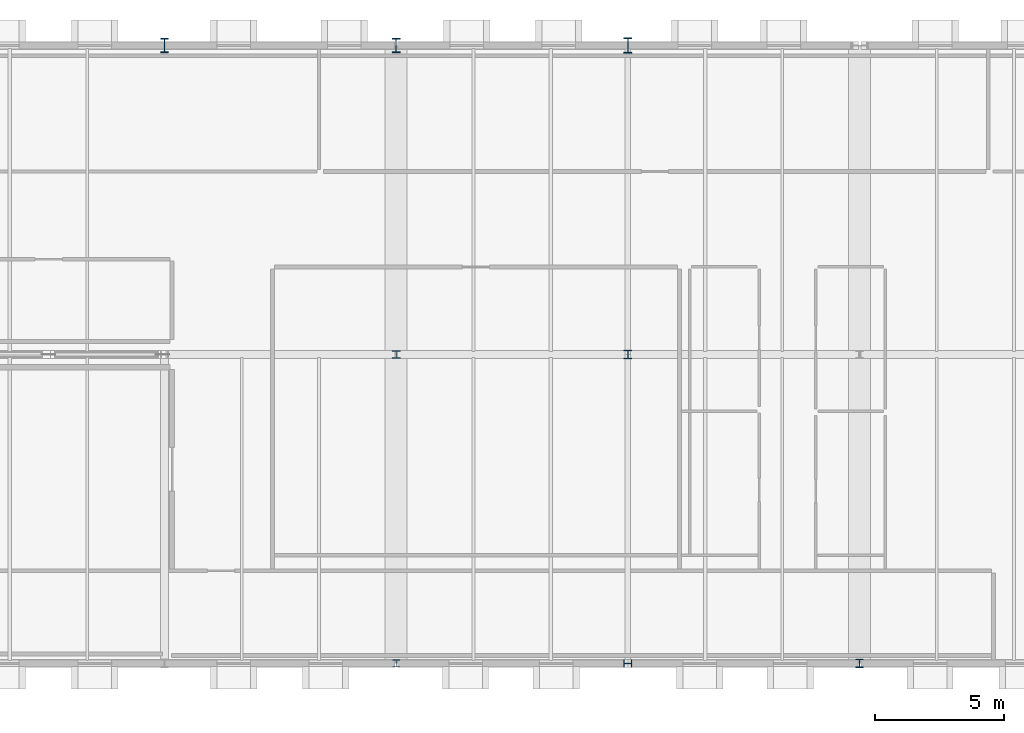
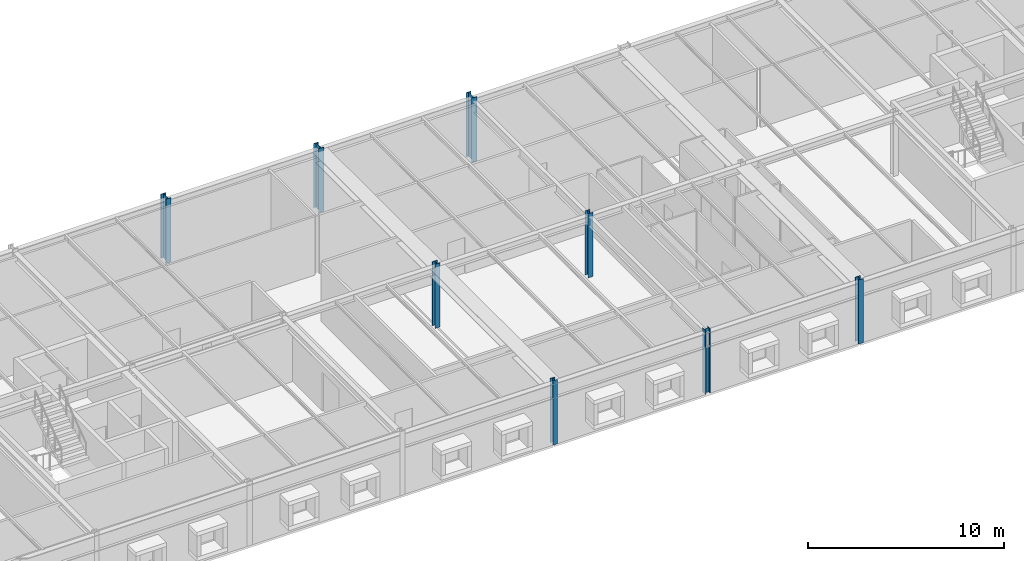
# One storey, part 2 of 17: 8 columns.
"""IFC4 building model written with IfcOpenShell, lengths in metres."""

from ifc_helpers import new_model, si_unit, direction, frame, origin, origin_2d, place, context, subcontext, project, spatial, i_section, extrude, material, material_profile, profile_set, type_object, element, save


model = new_model("IFC4")

# Units and contexts
model_context = context("Model", 3, precision=1e-05, world=origin(), true_north=direction((0.0, 1.0)))
body_context = subcontext(model_context, "Body", "Model", "MODEL_VIEW")
ifc_project = project(units=[si_unit("LENGTHUNIT", "METRE"), si_unit("AREAUNIT", "SQUARE_METRE"), si_unit("VOLUMEUNIT", "CUBIC_METRE"), si_unit("PLANEANGLEUNIT", "RADIAN"), si_unit("MASSUNIT", "GRAM", prefix="KILO")], contexts=[model_context])

# Site, building, storey
site_placement = place(None, origin())
site = spatial("IfcSite", under=ifc_project, at=site_placement, CompositionType="ELEMENT")
building_placement = place(site_placement, origin())
building = spatial("IfcBuilding", under=site, at=building_placement, Name="Montelvaro Courts of Justice", CompositionType="ELEMENT")
storey_placement = place(building_placement, frame((0.0, 0.0, 27.39990234375)))
storey = spatial("IfcBuildingStorey", under=building, at=storey_placement, Name="L06", CompositionType="ELEMENT", Elevation=27.39990234375)

# Columns
ifc_material = material(Name="Steel S355", Category="steel")
ifc_material_profile_1 = material_profile(ifc_material, i_section(OverallWidth=0.280029296875, OverallDepth=0.280029296875, WebThickness=0.010498046875, FlangeThickness=0.01806640625, at=origin_2d()), Name="HEB 280")
ifc_profile_set_1 = profile_set([ifc_material_profile_1], Name="Steel S355")
column_type_1 = type_object("IfcColumnType", Name="Col_HEB280", PredefinedType="COLUMN", material=ifc_profile_set_1)
column_1_placement = place(storey_placement, frame((81.0, 0.0, 0.0), z_axis=(0.0, 0.0, 1.0), x_axis=(1.0, 0.0, 0.0)))
element("IfcColumn", 1, at=column_1_placement, inside=storey, type_object=column_type_1, Name="Column C-02 L06 10/A", PredefinedType="COLUMN", context=body_context, shape_type="SweptSolid", body=[
    extrude(i_section(OverallWidth=0.280029296875, OverallDepth=0.280029296875, WebThickness=0.010498046875, FlangeThickness=0.01806640625, at=origin_2d()), origin(), (0.0, 0.0, 1.0), 4.0),
])
ifc_material_profile_2 = material_profile(ifc_material, i_section(OverallWidth=0.300048828125, OverallDepth=0.300048828125, WebThickness=0.010986328125, FlangeThickness=0.01904296875, at=origin_2d()), Name="HEB 300")
ifc_profile_set_2 = profile_set([ifc_material_profile_2], Name="Steel S355")
column_type_2 = type_object("IfcColumnType", Name="Col_HEB300", PredefinedType="COLUMN", material=ifc_profile_set_2)
for number, where, z_axis, x_axis, name in (
    (2, (81.0, 12.0, 0.0), (0.0, 0.0, 1.0), (1.0, 0.0, 0.0), "Column C-03 L06 10/B"),
    (3, (90.0, 0.0, 0.0), (0.0, 0.0, 1.0), (0.0, 1.0, 0.0), "Column C-03 L06 11/A"),
):
    element("IfcColumn", number, at=place(storey_placement, frame(where, z_axis=z_axis, x_axis=x_axis)), inside=storey, type_object=column_type_2, Name=name, PredefinedType="COLUMN", context=body_context, shape_type="SweptSolid", body=[
        extrude(i_section(OverallWidth=0.300048828125, OverallDepth=0.300048828125, WebThickness=0.010986328125, FlangeThickness=0.01904296875, at=origin_2d()), origin(), (0.0, 0.0, 1.0), 4.0),
    ])
ifc_material_profile_3 = material_profile(ifc_material, i_section(OverallWidth=0.300048828125, OverallDepth=0.320068359375, WebThickness=0.011474609375, FlangeThickness=0.0205078125, at=origin_2d()), Name="HEB 320")
ifc_profile_set_3 = profile_set([ifc_material_profile_3], Name="Steel S355")
column_type_3 = type_object("IfcColumnType", Name="Col_HEB320", PredefinedType="COLUMN", material=ifc_profile_set_3)
for number, where, z_axis, x_axis, name in (
    (4, (90.0, 12.0, 0.0), (0.0, 0.0, 1.0), (1.0, 0.0, 0.0), "Column C-04 L06 11/B"),
    (5, (99.0, 0.0, 0.0), (0.0, 0.0, 1.0), (1.0, 0.0, 0.0), "Column C-04 L06 12/A"),
):
    element("IfcColumn", number, at=place(storey_placement, frame(where, z_axis=z_axis, x_axis=x_axis)), inside=storey, type_object=column_type_3, Name=name, PredefinedType="COLUMN", context=body_context, shape_type="SweptSolid", body=[
        extrude(i_section(OverallWidth=0.300048828125, OverallDepth=0.320068359375, WebThickness=0.011474609375, FlangeThickness=0.0205078125, at=origin_2d()), origin(), (0.0, 0.0, 1.0), 4.0),
    ])
ifc_material_profile_4 = material_profile(ifc_material, i_section(OverallWidth=0.300048828125, OverallDepth=0.550048828125, WebThickness=0.014892578125, FlangeThickness=0.029052734375, at=origin_2d()), Name="HEB 550")
ifc_profile_set_4 = profile_set([ifc_material_profile_4], Name="Steel S355")
column_type_4 = type_object("IfcColumnType", Name="Col_HEB550", PredefinedType="COLUMN", material=ifc_profile_set_4)
for number, where, z_axis, x_axis, name in (
    (6, (72.0, 24.0, 0.0), (0.0, 0.0, 1.0), (1.0, 0.0, 0.0), "Column C-10 L06 9/C"),
    (7, (81.0, 24.0, 0.0), (0.0, 0.0, 1.0), (1.0, 0.0, 0.0), "Column C-10 L06 10/C"),
):
    element("IfcColumn", number, at=place(storey_placement, frame(where, z_axis=z_axis, x_axis=x_axis)), inside=storey, type_object=column_type_4, Name=name, PredefinedType="COLUMN", context=body_context, shape_type="SweptSolid", body=[
        extrude(i_section(OverallWidth=0.300048828125, OverallDepth=0.550048828125, WebThickness=0.014892578125, FlangeThickness=0.029052734375, at=origin_2d()), origin(), (0.0, 0.0, 1.0), 4.0),
    ])
ifc_material_profile_5 = material_profile(ifc_material, i_section(OverallWidth=0.300048828125, OverallDepth=0.60009765625, WebThickness=0.015380859375, FlangeThickness=0.030029296875, at=origin_2d()), Name="HEB 600")
ifc_profile_set_5 = profile_set([ifc_material_profile_5], Name="Steel S355")
column_type_5 = type_object("IfcColumnType", Name="Col_HEB600", PredefinedType="COLUMN", material=ifc_profile_set_5)
column_2_placement = place(storey_placement, frame((90.0, 24.0, 0.0), z_axis=(0.0, 0.0, 1.0), x_axis=(1.0, 0.0, 0.0)))
element("IfcColumn", 8, at=column_2_placement, inside=storey, type_object=column_type_5, Name="Column C-11 L06 11/C", PredefinedType="COLUMN", context=body_context, shape_type="SweptSolid", body=[
    extrude(i_section(OverallWidth=0.300048828125, OverallDepth=0.60009765625, WebThickness=0.015380859375, FlangeThickness=0.030029296875, at=origin_2d()), origin(), (0.0, 0.0, 1.0), 4.0),
])

save(model, "model.ifc")
